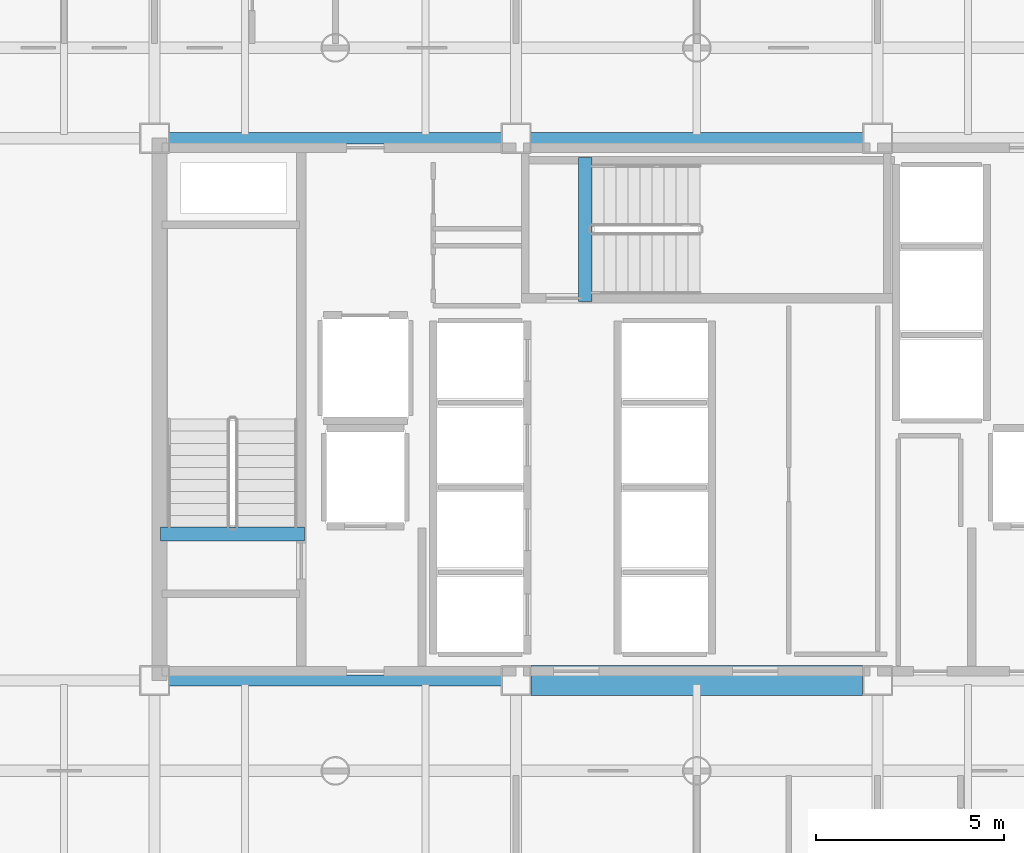
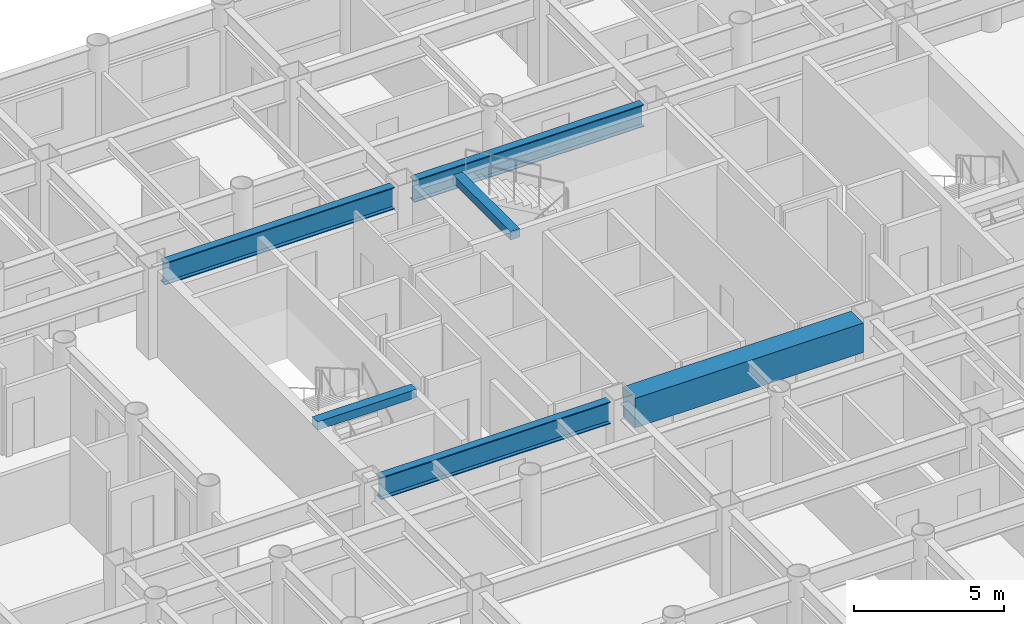
# One storey, part 5 of 20: 6 beams.
"""IFC4 building model written with IfcOpenShell, lengths in metres."""

import ifcopenshell
import ifcopenshell.guid

model = None  # the IFC model being written
_history = None  # IfcOwnerHistory: only IFC2X3 demands one
_inside = {}  # id of a spatial element -> (the spatial element, [elements in it])
_under = {}  # id of a project, library or spatial element -> (it, [spatial elements below it])
_declared = {}  # id of a project -> (the project, [libraries it declares])
_typed = {}  # id of a type object -> (the type object, [elements of that type])
_made_of = {}  # id of a material, layer set ... -> (it, [elements and type objects made of it])


def new_model(schema):
    """Start an empty IFC model of exactly this schema.

    Asked for "IFC4X3", IfcOpenShell would pick the latest addendum, in which some entities
    have other attributes; the version numbers below select the first issue.
    IFC2X3 requires an IfcOwnerHistory on every rooted entity: one is made here for all.
    """
    global model, _history
    if schema == "IFC4X3":
        model = ifcopenshell.file(schema_version=(4, 3, 0, 0))
    else:
        model = ifcopenshell.file(schema=schema)
    _inside.clear()
    _under.clear()
    _declared.clear()
    _typed.clear()
    _made_of.clear()
    _history = None
    if model.schema == "IFC2X3":
        org = make("IfcOrganization", Name="unknown")
        user = make(
            "IfcPersonAndOrganization",
            ThePerson=make("IfcPerson", FamilyName="unknown"),
            TheOrganization=org,
        )
        app = make(
            "IfcApplication",
            ApplicationDeveloper=org,
            Version="unknown",
            ApplicationFullName="unknown",
            ApplicationIdentifier="unknown",
        )
        _history = make(
            "IfcOwnerHistory",
            OwningUser=user,
            OwningApplication=app,
            ChangeAction="ADDED",
            CreationDate=0,
        )
    return model


def make(cls, **values):
    """One entity of the class cls with the attributes given. An attribute that is None is left unset."""
    return model.create_entity(
        cls, **{name: value for name, value in values.items() if value is not None}
    )


def rooted(cls, **values):
    """An entity with a GlobalId (a new one), such as an element, a storey or a relation."""
    return make(cls, GlobalId=ifcopenshell.guid.new(), OwnerHistory=_history, **values)


def si_unit(unit_type, name, prefix=None):
    """IfcSIUnit, for example si_unit("LENGTHUNIT", "METRE", prefix="MILLI")."""
    return make("IfcSIUnit", UnitType=unit_type, Prefix=prefix, Name=name)


def assignment(units):
    """IfcUnitAssignment: the units of a project."""
    return None if units is None else make("IfcUnitAssignment", Units=units)


def point(xyz):
    """IfcCartesianPoint."""
    return None if xyz is None else make("IfcCartesianPoint", Coordinates=xyz)


def direction(xyz):
    """IfcDirection."""
    return None if xyz is None else make("IfcDirection", DirectionRatios=xyz)


def frame(location, z_axis=None, x_axis=None):
    """IfcAxis2Placement3D, a coordinate frame: its origin and axes. An axis left out is left unset."""
    return make(
        "IfcAxis2Placement3D",
        Location=point(location),
        Axis=direction(z_axis),
        RefDirection=direction(x_axis),
    )


def frame_2d(location, x_axis=None):
    """IfcAxis2Placement2D, a coordinate frame in the plane: its origin and x axis."""
    return make(
        "IfcAxis2Placement2D", Location=point(location), RefDirection=direction(x_axis)
    )


def origin():
    """The frame at (0, 0, 0) with its axes left unset."""
    return frame((0.0, 0.0, 0.0))


def origin_2d():
    """The frame at (0, 0) in the plane with its x axis left unset."""
    return frame_2d((0.0, 0.0))


def place(relative_to, where):
    """IfcLocalPlacement: puts the frame where relative to a parent placement (None: the world)."""
    return make(
        "IfcLocalPlacement", PlacementRelTo=relative_to, RelativePlacement=where
    )


def context(
    kind, dimensions, precision=None, world=None, true_north=None, identifier=None
):
    """IfcGeometricRepresentationContext, for example the 3D "Model" context."""
    return make(
        "IfcGeometricRepresentationContext",
        ContextIdentifier=identifier,
        ContextType=kind,
        CoordinateSpaceDimension=dimensions,
        Precision=precision,
        WorldCoordinateSystem=world,
        TrueNorth=true_north,
    )


def subcontext(parent, identifier, kind, view, scale=None):
    """IfcGeometricRepresentationSubContext, for example "Body" below "Model"."""
    return make(
        "IfcGeometricRepresentationSubContext",
        ContextIdentifier=identifier,
        ContextType=kind,
        ParentContext=parent,
        TargetScale=scale,
        TargetView=view,
    )


def project(units=None, contexts=None):
    """IfcProject with its units and contexts."""
    return rooted(
        "IfcProject",
        Name="project",
        RepresentationContexts=contexts,
        UnitsInContext=assignment(units),
    )


def spatial(cls, under=None, at=None, **own):
    """A site, building, storey or space (cls), placed at a placement, below another one or the project."""
    s = rooted(cls, ObjectPlacement=at, **own)
    if under is not None:
        _under.setdefault(under.id(), (under, []))[1].append(s)
    return s


def profile(cls, at=None, kind="AREA", **sizes):
    """A parametric profile (cls). Its sizes go by their IFC names, for example OverallWidth=200.0."""
    return make(cls, ProfileType=kind, Position=at, **sizes)


def rectangle(**sizes):
    """IfcRectangleProfileDef."""
    return profile("IfcRectangleProfileDef", **sizes)


def i_section(**sizes):
    """IfcIShapeProfileDef."""
    return profile("IfcIShapeProfileDef", **sizes)


def extrude(swept, where, along, depth):
    """IfcExtrudedAreaSolid: the profile swept, set in the frame where, extruded along a direction by depth."""
    return make(
        "IfcExtrudedAreaSolid",
        SweptArea=swept,
        Position=where,
        ExtrudedDirection=direction(along),
        Depth=depth,
    )


def shape(context_of_items, identifier, shape_type, items):
    """IfcShapeRepresentation: the items that make up one representation, for example the "Body"."""
    return make(
        "IfcShapeRepresentation",
        ContextOfItems=context_of_items,
        RepresentationIdentifier=identifier,
        RepresentationType=shape_type,
        Items=items,
    )


def material(Name=None, Category=None):
    """IfcMaterial."""
    return make("IfcMaterial", Name=Name, Category=Category)


def material_profile(
    of_material, cross_section, Name=None, Category=None, Priority=None
):
    """IfcMaterialProfile: a cross section and its material."""
    return make(
        "IfcMaterialProfile",
        Name=Name,
        Material=of_material,
        Profile=cross_section,
        Priority=Priority,
        Category=Category,
    )


def profile_set(profiles, Name=None, composite=None):
    """IfcMaterialProfileSet."""
    return make(
        "IfcMaterialProfileSet",
        Name=Name,
        MaterialProfiles=profiles,
        CompositeProfile=composite,
    )


def made_of(thing, what):
    """Note that an element or type object is made of a material, layer set ...; save() writes the relation."""
    if what is not None:
        _made_of.setdefault(what.id(), (what, []))[1].append(thing)
    return thing


def type_object(cls, material=None, **own):
    """A type object (cls), such as IfcWallType, which elements share."""
    return made_of(rooted(cls, **own), material)


def element(
    cls,
    number,
    at=None,
    inside=None,
    cuts=None,
    type_object=None,
    material=None,
    context=None,
    identifier="Body",
    shape_type=None,
    held_by="IfcProductDefinitionShape",
    body=None,
    shapes=None,
    **own,
):
    """One element of the class cls, such as IfcWall. Its Tag is "e" and its number.

    at: its placement. inside: the storey or other place that contains it. cuts: it is an
    opening in that element (IfcRelVoidsElement). A single representation is given by context,
    identifier, shape_type and body (its items); several are given by shapes. held_by: the class
    of the entity that holds the representations. save() writes the other relations.
    """
    e = rooted(cls, Tag="e%d" % number, ObjectPlacement=at, **own)
    if body is not None:
        shapes = [shape(context, identifier, shape_type, body)]
    if shapes is not None:
        e.Representation = make(held_by, Representations=shapes)
    if inside is not None:
        _inside.setdefault(inside.id(), (inside, []))[1].append(e)
    if cuts is not None:
        rooted(
            "IfcRelVoidsElement", RelatingBuildingElement=cuts, RelatedOpeningElement=e
        )
    if type_object is not None:
        _typed.setdefault(type_object.id(), (type_object, []))[1].append(e)
    return made_of(e, material)


def aggregate(whole, parts):
    """IfcRelAggregates: a whole, such as a stair, and the parts it consists of."""
    return rooted("IfcRelAggregates", RelatingObject=whole, RelatedObjects=parts)


def save(model, path):
    """Write the relations noted so far, then the file.

    IfcRelAggregates (storeys below a building ...), IfcRelContainedInSpatialStructure (elements
    in a storey), IfcRelDefinesByType, IfcRelAssociatesMaterial and IfcRelDeclares: one each for
    every whole, place, type object, material and project.
    """
    for whole, parts in _under.values():
        aggregate(whole, parts)
    for where, things in _inside.values():
        rooted(
            "IfcRelContainedInSpatialStructure",
            RelatedElements=things,
            RelatingStructure=where,
        )
    for kind, things in _typed.values():
        rooted("IfcRelDefinesByType", RelatedObjects=things, RelatingType=kind)
    for what, things in _made_of.values():
        rooted("IfcRelAssociatesMaterial", RelatedObjects=things, RelatingMaterial=what)
    for by, libraries in _declared.values():
        rooted("IfcRelDeclares", RelatingContext=by, RelatedDefinitions=libraries)
    model.write(path)


model = new_model("IFC4")

# Units and contexts
model_context = context("Model", 3, precision=1e-05, world=origin(), true_north=direction((0.0, 1.0)))
body_context = subcontext(model_context, "Body", "Model", "MODEL_VIEW")
ifc_project = project(units=[si_unit("LENGTHUNIT", "METRE"), si_unit("AREAUNIT", "SQUARE_METRE"), si_unit("VOLUMEUNIT", "CUBIC_METRE"), si_unit("PLANEANGLEUNIT", "RADIAN"), si_unit("MASSUNIT", "GRAM", prefix="KILO")], contexts=[model_context])

# Site, building, storey
site_placement = place(None, origin())
site = spatial("IfcSite", under=ifc_project, at=site_placement, CompositionType="ELEMENT")
building_placement = place(site_placement, origin())
building = spatial("IfcBuilding", under=site, at=building_placement, Name="Kallvorn Hotel Tower", CompositionType="ELEMENT")
storey_placement = place(building_placement, frame((0.0, 0.0, 78.10009765625)))
storey = spatial("IfcBuildingStorey", under=building, at=storey_placement, Name="L18", CompositionType="ELEMENT", Elevation=78.10009765625)

# Beams
ifc_material_1 = material(Name="Structural steel S355JR", Category="steel")
ifc_material_profile_1 = material_profile(ifc_material_1, i_section(OverallWidth=0.300048828125, OverallDepth=0.89990234375, WebThickness=0.0185546875, FlangeThickness=0.034912109375, at=origin_2d()), Name="HE 900 B")
ifc_profile_set_1 = profile_set([ifc_material_profile_1], Name="Structural steel S355JR")
beam_type_1 = type_object("IfcBeamType", Name="BM_HE900B", PredefinedType="BEAM", material=ifc_profile_set_1)
for number, where, z_axis, x_axis, name in (
    (1, (-14.02490234375, -7.199951171875, 3.06982421875), (1.0, 0.0, 0.0), (0.0, 1.0, 0.0), "L19 Primary X-Girder 34"),
    (2, (-14.02490234375, 7.199951171875, 3.06982421875), (1.0, 0.0, 0.0), (0.0, 1.0, 0.0), "L19 Primary X-Girder 38"),
):
    element("IfcBeam", number, at=place(storey_placement, frame(where, z_axis=z_axis, x_axis=x_axis)), inside=storey, type_object=beam_type_1, Name=name, PredefinedType="BEAM", context=body_context, shape_type="SweptSolid", body=[
        extrude(i_section(OverallWidth=0.300048828125, OverallDepth=0.89990234375, WebThickness=0.0185546875, FlangeThickness=0.034912109375, at=origin_2d()), origin(), (0.0, 0.0, 1.0), 8.849853515625),
    ])
beam_1_placement = place(storey_placement, frame((-4.425048828125, 7.199951171875, 3.06982421875), z_axis=(1.0, 0.0, 0.0), x_axis=(0.0, 1.0, 0.0)))
element("IfcBeam", 3, at=beam_1_placement, inside=storey, type_object=beam_type_1, Name="L19 Primary X-Girder 39", PredefinedType="BEAM", context=body_context, shape_type="SweptSolid", body=[
    extrude(i_section(OverallWidth=0.300048828125, OverallDepth=0.89990234375, WebThickness=0.0185546875, FlangeThickness=0.034912109375, at=origin_2d()), origin(), (0.0, 0.0, 1.0), 8.85009765625),
])
ifc_material_2 = material(Name="Concrete C50/60", Category="concrete")
ifc_material_profile_2 = material_profile(ifc_material_2, rectangle(XDim=0.360107421875, YDim=0.340087890625, at=origin_2d()), Name="RC 360x340")
ifc_profile_set_2 = profile_set([ifc_material_profile_2], Name="Concrete C50/60")
beam_type_2 = type_object("IfcBeamType", Name="BM_RC_400x360", PredefinedType="BEAM", material=ifc_profile_set_2)
beam_2_placement = place(storey_placement, frame((-10.419921875, -3.31005859375, 3.349853515625), z_axis=(-1.0, 0.0, 0.0), x_axis=(0.0, -1.0, 0.0)))
element("IfcBeam", 4, at=beam_2_placement, inside=storey, type_object=beam_type_2, Name="L19 Stair ST1 Arrival Trimmer Beam", PredefinedType="BEAM", context=body_context, shape_type="SweptSolid", body=[
    extrude(rectangle(XDim=0.360107421875, YDim=0.340087890625, at=origin_2d()), origin(), (0.0, 0.0, 1.0), 3.820068359375),
])
beam_3_placement = place(storey_placement, frame((-2.9599609375, 2.8701171875, 3.349853515625), z_axis=(0.0, 1.0, 0.0), x_axis=(-1.0, 0.0, 0.0)))
element("IfcBeam", 5, at=beam_3_placement, inside=storey, type_object=beam_type_2, Name="L19 Stair ST3 Arrival Trimmer Beam", PredefinedType="BEAM", context=body_context, shape_type="SweptSolid", body=[
    extrude(rectangle(XDim=0.360107421875, YDim=0.340087890625, at=origin_2d()), origin(), (0.0, 0.0, 1.0), 3.81982421875),
])
ifc_material_3 = material(Name="Concrete C50/60", Category="concrete")
ifc_material_profile_3 = material_profile(ifc_material_3, rectangle(XDim=0.800048828125, YDim=1.199951171875, at=origin_2d()), Name="RC 800x1200")
ifc_profile_set_3 = profile_set([ifc_material_profile_3], Name="Concrete C50/60")
beam_type_3 = type_object("IfcBeamType", Name="BM_RC_800x1200", PredefinedType="T_BEAM", material=ifc_profile_set_3)
beam_4_placement = place(storey_placement, frame((-4.39990234375, -7.199951171875, 2.919921875), z_axis=(1.0, 0.0, 0.0), x_axis=(0.0, 1.0, 0.0)))
element("IfcBeam", 6, at=beam_4_placement, inside=storey, type_object=beam_type_3, Name="L18 Core Coupling Beam South", PredefinedType="T_BEAM", context=body_context, shape_type="SweptSolid", body=[
    extrude(rectangle(XDim=0.800048828125, YDim=1.199951171875, at=origin_2d()), origin(), (0.0, 0.0, 1.0), 8.7998046875),
])

save(model, "model.ifc")
